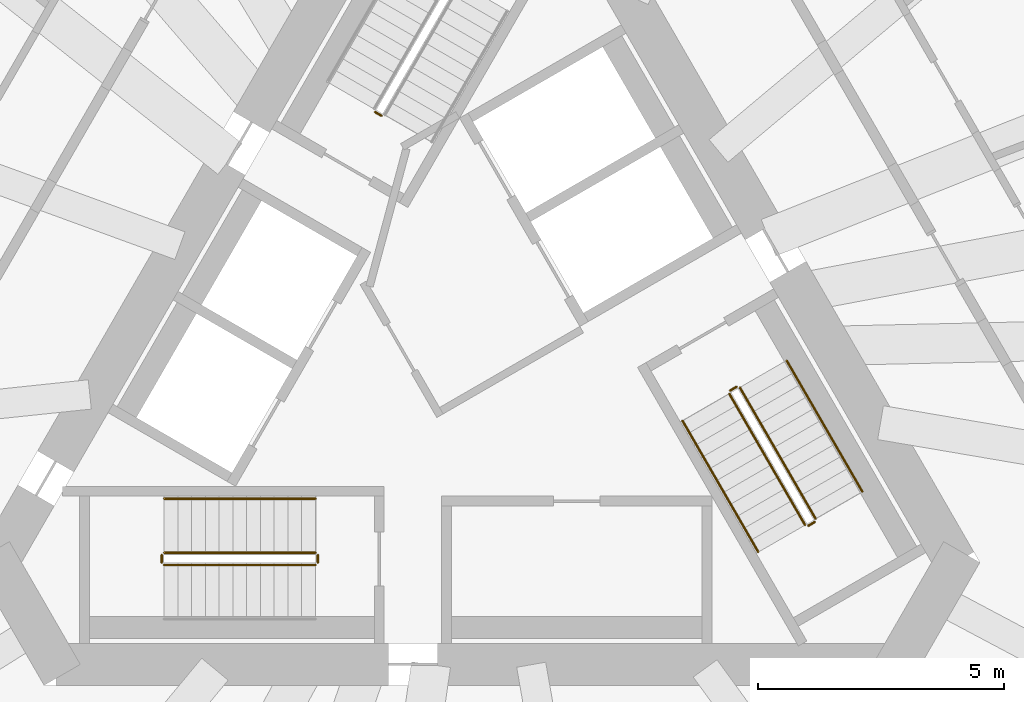
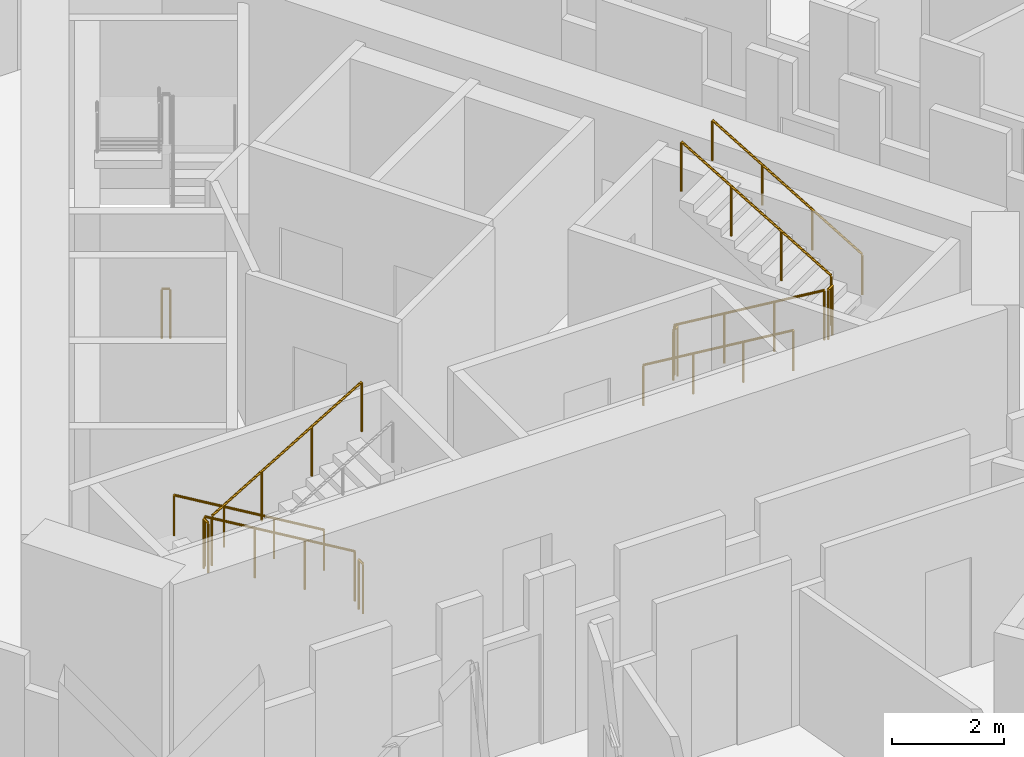
# One storey, part 11 of 14: 12 railings.
"""IFC4 building model written with IfcOpenShell, lengths in metres."""

from ifc_helpers import new_model, si_unit, direction, frame, origin, origin_2d, place, context, subcontext, project, spatial, circle, extrude, material, type_object, element, save


model = new_model("IFC4")

# Units and contexts
model_context = context("Model", 3, precision=1e-05, world=origin(), true_north=direction((0.0, 1.0)))
body_context = subcontext(model_context, "Body", "Model", "MODEL_VIEW")
ifc_project = project(units=[si_unit("LENGTHUNIT", "METRE"), si_unit("AREAUNIT", "SQUARE_METRE"), si_unit("VOLUMEUNIT", "CUBIC_METRE"), si_unit("PLANEANGLEUNIT", "RADIAN"), si_unit("MASSUNIT", "GRAM", prefix="KILO")], contexts=[model_context])

# Site, building, storey
site_placement = place(None, origin())
site = spatial("IfcSite", under=ifc_project, at=site_placement, CompositionType="ELEMENT")
building_placement = place(site_placement, origin())
building = spatial("IfcBuilding", under=site, at=building_placement, Name="Tramontana Tower", CompositionType="ELEMENT")
storey_placement = place(building_placement, frame((0.0, 0.0, 170.800048828125)))
storey = spatial("IfcBuildingStorey", under=building, at=storey_placement, Name="L39", CompositionType="ELEMENT", Elevation=170.800048828125)

# Railings
ifc_material_1 = material(Name="Painted steel", Category="steel")
railing_type_1 = type_object("IfcRailingType", Name="STAIR GUARD 1100", PredefinedType="GUARDRAIL", material=ifc_material_1)
railing_1_placement = place(storey_placement, frame((-1.935791015625, 4.84716796875, 0.0)))
element("IfcRailing", 1, at=railing_1_placement, inside=storey, type_object=railing_type_1, Name="L39 ST1 stair guard 4", PredefinedType="GUARDRAIL", context=body_context, shape_type="SweptSolid", body=[
    extrude(circle(Radius=0.02392578125, at=origin_2d()), frame((0.0, 0.0, 1.076171875), z_axis=(-0.865426285481, 0.501036270542, 0.0), x_axis=(-0.501036270542, -0.865426285481, 0.0)), (0.0, 0.0, 1.0), 0.150146484375),
    extrude(circle(Radius=0.02099609375, at=origin_2d()), origin(), (0.0, 0.0, 1.0), 1.052001953125),
    extrude(circle(Radius=0.02099609375, at=origin_2d()), frame((-0.1298828125, 0.0751953125, 0.0)), (0.0, 0.0, 1.0), 1.052001953125),
])
railing_2_placement = place(storey_placement, frame((-3.280029296875, -4.050048828125, 0.16650390625)))
element("IfcRailing", 2, at=railing_2_placement, inside=storey, type_object=railing_type_1, Name="L39 ST2 stair guard 1", PredefinedType="GUARDRAIL", context=body_context, shape_type="SweptSolid", body=[
    extrude(circle(Radius=0.02392578125, at=origin_2d()), frame((0.0, 0.0, 1.076171875), z_axis=(-0.85927862911, 0.0, 0.511507807912), x_axis=(0.0, -1.0, 0.0)), (0.0, 0.0, 1.0), 3.58447265625),
    extrude(circle(Radius=0.02099609375, at=origin_2d()), origin(), (0.0, 0.0, 1.0), 1.052001953125),
    extrude(circle(Radius=0.02099609375, at=origin_2d()), frame((-1.026611328125, 0.0, 0.611083984375)), (0.0, 0.0, 1.0), 1.052001953125),
    extrude(circle(Radius=0.02099609375, at=origin_2d()), frame((-2.053466796875, 0.0, 1.222412109375)), (0.0, 0.0, 1.0), 1.052001953125),
    extrude(circle(Radius=0.02099609375, at=origin_2d()), frame((-3.080078125, 0.0, 1.83349609375)), (0.0, 0.0, 1.0), 1.052001953125),
])
railing_3_placement = place(storey_placement, frame((-6.360107421875, -4.300048828125, 2.16650390625)))
element("IfcRailing", 3, at=railing_3_placement, inside=storey, type_object=railing_type_1, Name="L39 ST2 stair guard 2", PredefinedType="GUARDRAIL", context=body_context, shape_type="SweptSolid", body=[
    extrude(circle(Radius=0.02392578125, at=origin_2d()), frame((0.0, 0.0, 1.076171875), z_axis=(0.85927862911, 0.0, 0.511507807912), x_axis=(0.0, 1.0, 0.0)), (0.0, 0.0, 1.0), 3.58447265625),
    extrude(circle(Radius=0.02099609375, at=origin_2d()), origin(), (0.0, 0.0, 1.0), 1.052001953125),
    extrude(circle(Radius=0.02099609375, at=origin_2d()), frame((1.026611328125, 0.0, 0.611083984375)), (0.0, 0.0, 1.0), 1.052001953125),
    extrude(circle(Radius=0.02099609375, at=origin_2d()), frame((2.053466796875, 0.0, 1.222412109375)), (0.0, 0.0, 1.0), 1.052001953125),
    extrude(circle(Radius=0.02099609375, at=origin_2d()), frame((3.080078125, 0.0, 1.83349609375)), (0.0, 0.0, 1.0), 1.052001953125),
])
for number, where, name in (
    (4, (-6.409912109375, -4.10009765625, 2.0), "L39 ST2 stair guard 3"),
    (5, (-3.22998046875, -4.10009765625, 0.0), "L39 ST2 stair guard 4"),
):
    element("IfcRailing", number, at=place(storey_placement, frame(where)), inside=storey, type_object=railing_type_1, Name=name, PredefinedType="GUARDRAIL", context=body_context, shape_type="SweptSolid", body=[
        extrude(circle(Radius=0.02392578125, at=origin_2d()), frame((0.0, 0.0, 1.076171875), z_axis=(0.0, -1.0, 0.0), x_axis=(1.0, 0.0, 0.0)), (0.0, 0.0, 1.0), 0.14990234375),
        extrude(circle(Radius=0.02099609375, at=origin_2d()), origin(), (0.0, 0.0, 1.0), 1.052001953125),
        extrude(circle(Radius=0.02099609375, at=origin_2d()), frame((0.0, -0.14990234375, 0.0)), (0.0, 0.0, 1.0), 1.052001953125),
    ])
railing_4_placement = place(storey_placement, frame((5.1474609375, -0.815673828125, 0.16650390625)))
element("IfcRailing", 6, at=railing_4_placement, inside=storey, type_object=railing_type_1, Name="L39 ST3 stair guard 1", PredefinedType="GUARDRAIL", context=body_context, shape_type="SweptSolid", body=[
    extrude(circle(Radius=0.02392578125, at=origin_2d()), frame((0.0, 0.0, 1.076171875), z_axis=(0.429656224001, -0.744133520484, 0.511527939481), x_axis=(0.866010015463, 0.500026652407, 0.0)), (0.0, 0.0, 1.0), 3.58447265625),
    extrude(circle(Radius=0.02099609375, at=origin_2d()), origin(), (0.0, 0.0, 1.0), 1.052001953125),
    extrude(circle(Radius=0.02099609375, at=origin_2d()), frame((0.513427734375, -0.88916015625, 0.611083984375)), (0.0, 0.0, 1.0), 1.052001953125),
    extrude(circle(Radius=0.02099609375, at=origin_2d()), frame((1.026611328125, -1.778076171875, 1.222412109375)), (0.0, 0.0, 1.0), 1.052001953125),
    extrude(circle(Radius=0.02099609375, at=origin_2d()), frame((1.5400390625, -2.667236328125, 1.83349609375)), (0.0, 0.0, 1.0), 1.052001953125),
])
railing_5_placement = place(storey_placement, frame((6.90380859375, -3.35791015625, 2.16650390625)))
element("IfcRailing", 7, at=railing_5_placement, inside=storey, type_object=railing_type_1, Name="L39 ST3 stair guard 2", PredefinedType="GUARDRAIL", context=body_context, shape_type="SweptSolid", body=[
    extrude(circle(Radius=0.02392578125, at=origin_2d()), frame((0.0, 0.0, 1.076171875), z_axis=(-0.429600682602, 0.744155296881, 0.511542908886), x_axis=(-0.866044340336, -0.499967199496, 0.0)), (0.0, 0.0, 1.0), 3.584228515625),
    extrude(circle(Radius=0.02099609375, at=origin_2d()), origin(), (0.0, 0.0, 1.0), 1.052001953125),
    extrude(circle(Radius=0.02099609375, at=origin_2d()), frame((-0.51318359375, 0.88916015625, 0.611083984375)), (0.0, 0.0, 1.0), 1.052001953125),
    extrude(circle(Radius=0.02099609375, at=origin_2d()), frame((-1.026611328125, 1.778076171875, 1.222412109375)), (0.0, 0.0, 1.0), 1.052001953125),
    extrude(circle(Radius=0.02099609375, at=origin_2d()), frame((-1.539794921875, 2.667236328125, 1.83349609375)), (0.0, 0.0, 1.0), 1.052001953125),
])
for number, where, name in (
    (8, (6.755615234375, -3.501220703125, 2.0), "L39 ST3 stair guard 3"),
    (9, (5.165771484375, -0.747314453125, 0.0), "L39 ST3 stair guard 4"),
):
    element("IfcRailing", number, at=place(storey_placement, frame(where)), inside=storey, type_object=railing_type_1, Name=name, PredefinedType="GUARDRAIL", context=body_context, shape_type="SweptSolid", body=[
        extrude(circle(Radius=0.02392578125, at=origin_2d()), frame((0.0, 0.0, 1.076171875), z_axis=(0.866131372301, 0.499816412211, 0.0), x_axis=(-0.499816412211, 0.866131372301, 0.0)), (0.0, 0.0, 1.0), 0.14990234375),
        extrude(circle(Radius=0.02099609375, at=origin_2d()), origin(), (0.0, 0.0, 1.0), 1.052001953125),
        extrude(circle(Radius=0.02099609375, at=origin_2d()), frame((0.1298828125, 0.074951171875, 0.0)), (0.0, 0.0, 1.0), 1.052001953125),
    ])
ifc_material_2 = material(Name="Painted steel", Category="steel")
railing_type_2 = type_object("IfcRailingType", Name="STAIR HANDRAIL 900", PredefinedType="HANDRAIL", material=ifc_material_2)
railing_6_placement = place(storey_placement, frame((-3.280029296875, -2.949951171875, 0.16650390625)))
element("IfcRailing", 10, at=railing_6_placement, inside=storey, type_object=railing_type_2, Name="L39 ST2 stair handrail 1", PredefinedType="HANDRAIL", context=body_context, shape_type="SweptSolid", body=[
    extrude(circle(Radius=0.02392578125, at=origin_2d()), frame((0.0, 0.0, 0.8759765625), z_axis=(-0.85927862911, 0.0, 0.511507807912), x_axis=(0.0, -1.0, 0.0)), (0.0, 0.0, 1.0), 3.58447265625),
    extrude(circle(Radius=0.02099609375, at=origin_2d()), origin(), (0.0, 0.0, 1.0), 0.851806640625),
    extrude(circle(Radius=0.02099609375, at=origin_2d()), frame((-1.026611328125, 0.0, 0.611083984375)), (0.0, 0.0, 1.0), 0.851806640625),
    extrude(circle(Radius=0.02099609375, at=origin_2d()), frame((-2.053466796875, 0.0, 1.222412109375)), (0.0, 0.0, 1.0), 0.851806640625),
    extrude(circle(Radius=0.02099609375, at=origin_2d()), frame((-3.080078125, 0.0, 1.83349609375)), (0.0, 0.0, 1.0), 0.851806640625),
])
railing_7_placement = place(storey_placement, frame((4.19482421875, -1.365478515625, 0.16650390625)))
element("IfcRailing", 11, at=railing_7_placement, inside=storey, type_object=railing_type_2, Name="L39 ST3 stair handrail 1", PredefinedType="HANDRAIL", context=body_context, shape_type="SweptSolid", body=[
    extrude(circle(Radius=0.02392578125, at=origin_2d()), frame((0.0, 0.0, 0.8759765625), z_axis=(0.429634447492, -0.7441639146, 0.511502013422), x_axis=(0.866029832698, 0.499992328818, 0.0)), (0.0, 0.0, 1.0), 3.58447265625),
    extrude(circle(Radius=0.02099609375, at=origin_2d()), origin(), (0.0, 0.0, 1.0), 0.851806640625),
    extrude(circle(Radius=0.02099609375, at=origin_2d()), frame((0.513427734375, -0.88916015625, 0.611083984375)), (0.0, 0.0, 1.0), 0.851806640625),
    extrude(circle(Radius=0.02099609375, at=origin_2d()), frame((1.026611328125, -1.7783203125, 1.222412109375)), (0.0, 0.0, 1.0), 0.851806640625),
    extrude(circle(Radius=0.02099609375, at=origin_2d()), frame((1.5400390625, -2.66748046875, 1.83349609375)), (0.0, 0.0, 1.0), 0.851806640625),
])
railing_8_placement = place(storey_placement, frame((7.8564453125, -2.807861328125, 2.16650390625)))
element("IfcRailing", 12, at=railing_8_placement, inside=storey, type_object=railing_type_2, Name="L39 ST3 stair handrail 2", PredefinedType="HANDRAIL", context=body_context, shape_type="SweptSolid", body=[
    extrude(circle(Radius=0.02392578125, at=origin_2d()), frame((0.0, 0.0, 0.8759765625), z_axis=(-0.429600682602, 0.744155296881, 0.511542908886), x_axis=(-0.866044340336, -0.499967199496, 0.0)), (0.0, 0.0, 1.0), 3.584228515625),
    extrude(circle(Radius=0.02099609375, at=origin_2d()), origin(), (0.0, 0.0, 1.0), 0.851806640625),
    extrude(circle(Radius=0.02099609375, at=origin_2d()), frame((-0.51318359375, 0.88916015625, 0.611083984375)), (0.0, 0.0, 1.0), 0.851806640625),
    extrude(circle(Radius=0.02099609375, at=origin_2d()), frame((-1.026611328125, 1.778076171875, 1.222412109375)), (0.0, 0.0, 1.0), 0.851806640625),
    extrude(circle(Radius=0.02099609375, at=origin_2d()), frame((-1.539794921875, 2.667236328125, 1.83349609375)), (0.0, 0.0, 1.0), 0.851806640625),
])

save(model, "model.ifc")
